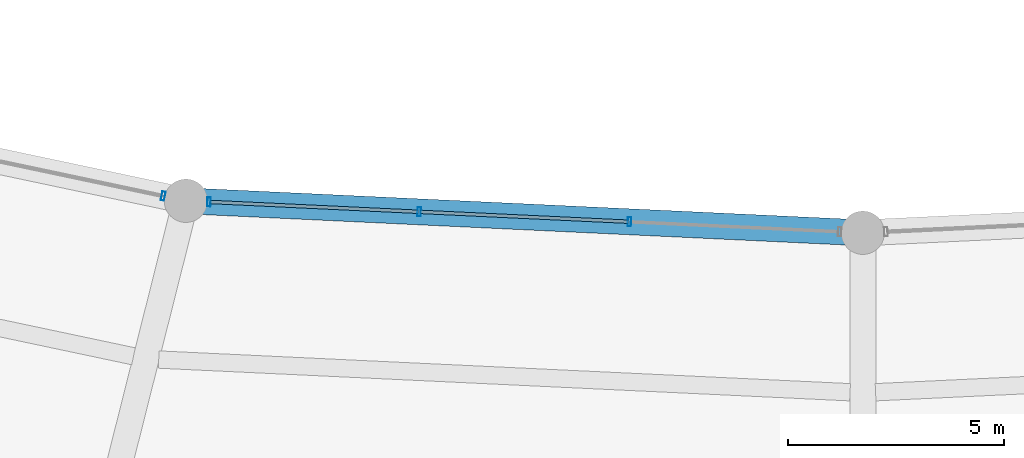
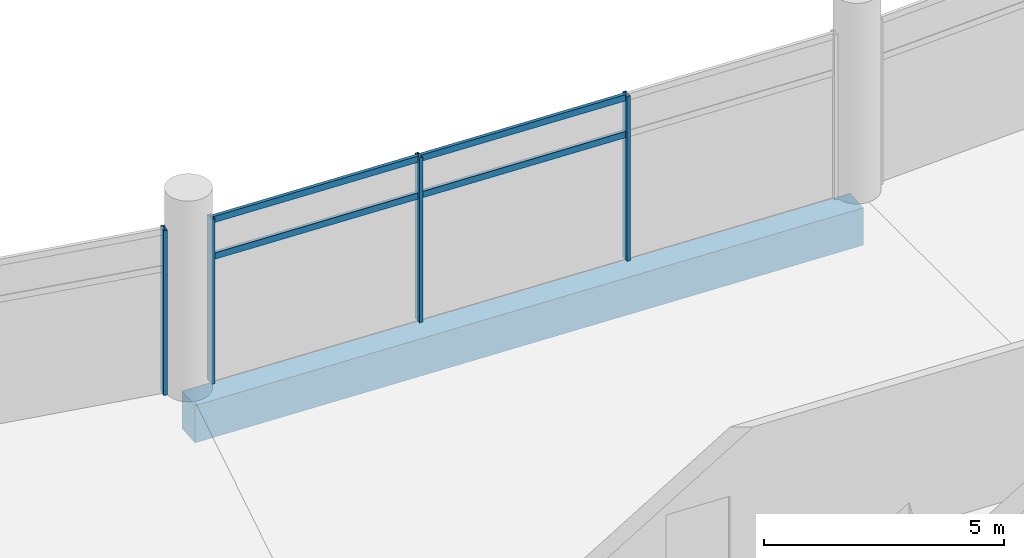
# One storey, part 26 of 184: 8 members, 1 beam, 2 elements without a shape of their own.
"""IFC4 building model written with IfcOpenShell, lengths in metres."""

from ifc_helpers import new_model, si_unit, direction, frame, origin, origin_2d, place, context, subcontext, project, spatial, rectangle, hollow_rectangle, extrude, material, layer, layer_set, material_profile, profile_set, type_object, element, aggregate, save


model = new_model("IFC4")

# Units and contexts
model_context = context("Model", 3, precision=1e-05, world=origin(), true_north=direction((0.0, 1.0)))
body_context = subcontext(model_context, "Body", "Model", "MODEL_VIEW")
ifc_project = project(units=[si_unit("LENGTHUNIT", "METRE"), si_unit("AREAUNIT", "SQUARE_METRE"), si_unit("VOLUMEUNIT", "CUBIC_METRE"), si_unit("PLANEANGLEUNIT", "RADIAN"), si_unit("MASSUNIT", "GRAM", prefix="KILO")], contexts=[model_context])

# Site, building, storey
site_placement = place(None, origin())
site = spatial("IfcSite", under=ifc_project, at=site_placement, CompositionType="ELEMENT")
building_placement = place(site_placement, origin())
building = spatial("IfcBuilding", under=site, at=building_placement, Name="Kazemori Nagisa Stadium", CompositionType="ELEMENT")
storey_placement = place(building_placement, frame((0.0, 0.0, 10.5400390625)))
storey = spatial("IfcBuildingStorey", under=building, at=storey_placement, Name="L02", CompositionType="ELEMENT", Elevation=10.5400390625)

# Beam
ifc_material_1 = material(Name="Concrete C40/50 (Fc42)", Category="concrete")
ifc_material_profile_1 = material_profile(ifc_material_1, rectangle(XDim=0.60009765625, YDim=0.949951171875, at=origin_2d()), Name="RC-BM-600x950")
ifc_profile_set_1 = profile_set([ifc_material_profile_1], Name="Concrete C40/50 (Fc42)")
beam_type = type_object("IfcBeamType", Name="Beam_BG-RC600X950", PredefinedType="BEAM", material=ifc_profile_set_1)
beam_placement = place(storey_placement, frame((107.35791015625, 39.959716796875, -0.735107421875), z_axis=(0.998883604512, -0.047239227746, 0.0), x_axis=(0.047239227746, 0.998883604512, 0.0)))
element("IfcBeam", 1, at=beam_placement, inside=storey, type_object=beam_type, Name="Ring girder BG-RC600X950 L02 R1-21", PredefinedType="BEAM", context=body_context, shape_type="SweptSolid", body=[
    extrude(rectangle(XDim=0.60009765625, YDim=0.949951171875, at=origin_2d()), origin(), (0.0, 0.0, 1.0), 15.65966796875),
])

# Curtain wall, member
ifc_material_2 = material(Name="Anodised aluminium 6063-T5", Category="aluminium")
ifc_layer_1 = layer(ifc_material_2, 0.2099609375, Name="Anodised aluminium 6063-T5", Category="aluminium")
ifc_layer_set_1 = layer_set([ifc_layer_1], Name="Anodised aluminium 6063-T5")
curtain_wall_type_1 = type_object("IfcCurtainWallType", Name="CW_L02B_75", PredefinedType="USERDEFINED", material=ifc_layer_set_1)
curtain_wall_1_placement = place(storey_placement, origin())
curtain_wall_1 = element("IfcCurtainWall", 2, at=curtain_wall_1_placement, inside=storey, type_object=curtain_wall_type_1, Name="Unitised curtain wall CW-L02B-75 L02", ObjectType="UNITISED CURTAIN WALL", PredefinedType="USERDEFINED")
ifc_material_3 = material(Name="Aluminium 6063-T5 anodised", Category="aluminium")
ifc_material_profile_2 = material_profile(ifc_material_3, hollow_rectangle(XDim=0.080078125, YDim=0.2099609375, WallThickness=0.0048828125, at=origin_2d()), Name="ALU-MULL-80x210x5")
ifc_profile_set_2 = profile_set([ifc_material_profile_2], Name="Aluminium 6063-T5 anodised")
member_type_1 = type_object("IfcMemberType", Name="Mullion_M02", PredefinedType="MULLION", material=ifc_profile_set_2)
member_1_placement = place(storey_placement, frame((106.83447265625, 40.0703125, 0.0), z_axis=(0.0, 0.0, 1.0), x_axis=(0.978344955407, -0.206981033502, 0.0)))
member_1 = element("IfcMember", 3, at=member_1_placement, type_object=member_type_1, Name="Curtain wall mullion CW-L02B-75-M4", PredefinedType="MULLION", context=body_context, shape_type="SweptSolid", body=[
    extrude(hollow_rectangle(XDim=0.080078125, YDim=0.2099609375, WallThickness=0.0048828125, at=origin_2d()), origin(), (0.0, 0.0, 1.0), 4.18994140625),
])
aggregate(curtain_wall_1, [member_1])

# Curtain wall, members
ifc_layer_2 = layer(ifc_material_2, 0.2099609375, Name="Anodised aluminium 6063-T5", Category="aluminium")
ifc_layer_set_2 = layer_set([ifc_layer_2], Name="Anodised aluminium 6063-T5")
curtain_wall_type_2 = type_object("IfcCurtainWallType", Name="CW_L02B_73", PredefinedType="USERDEFINED", material=ifc_layer_set_2)
curtain_wall_2_placement = place(storey_placement, origin())
curtain_wall_2 = element("IfcCurtainWall", 4, at=curtain_wall_2_placement, inside=storey, type_object=curtain_wall_type_2, Name="Unitised curtain wall CW-L02B-73 L02", ObjectType="UNITISED CURTAIN WALL", PredefinedType="USERDEFINED")
member_2_placement = place(storey_placement, frame((107.89208984375, 39.934326171875, 0.0), z_axis=(0.0, 0.0, 1.0), x_axis=(0.998884022476, -0.047230388971, 0.0)))
member_2 = element("IfcMember", 5, at=member_2_placement, type_object=member_type_1, Name="Curtain wall mullion CW-L02B-73-M1", PredefinedType="MULLION", context=body_context, shape_type="SweptSolid", body=[
    extrude(hollow_rectangle(XDim=0.080078125, YDim=0.2099609375, WallThickness=0.0048828125, at=origin_2d()), origin(), (0.0, 0.0, 1.0), 4.18994140625),
])
member_3_placement = place(storey_placement, frame((112.75, 39.70458984375, 0.0), z_axis=(0.0, 0.0, 1.0), x_axis=(0.998884022476, -0.047230388971, 0.0)))
member_3 = element("IfcMember", 6, at=member_3_placement, type_object=member_type_1, Name="Curtain wall mullion CW-L02B-73-M2", PredefinedType="MULLION", context=body_context, shape_type="SweptSolid", body=[
    extrude(hollow_rectangle(XDim=0.080078125, YDim=0.2099609375, WallThickness=0.0048828125, at=origin_2d()), origin(), (0.0, 0.0, 1.0), 4.18994140625),
])
member_4_placement = place(storey_placement, frame((117.60791015625, 39.474853515625, 0.0), z_axis=(0.0, 0.0, 1.0), x_axis=(0.998884022476, -0.047230388971, 0.0)))
member_4 = element("IfcMember", 7, at=member_4_placement, type_object=member_type_1, Name="Curtain wall mullion CW-L02B-73-M3", PredefinedType="MULLION", context=body_context, shape_type="SweptSolid", body=[
    extrude(hollow_rectangle(XDim=0.080078125, YDim=0.2099609375, WallThickness=0.0048828125, at=origin_2d()), origin(), (0.0, 0.0, 1.0), 4.18994140625),
])
ifc_material_profile_3 = material_profile(ifc_material_3, hollow_rectangle(XDim=0.080078125, YDim=0.159912109375, WallThickness=0.00390625, at=origin_2d()), Name="ALU-TRAN-80x160x4")
ifc_profile_set_3 = profile_set([ifc_material_profile_3], Name="Aluminium 6063-T5 anodised")
member_type_2 = type_object("IfcMemberType", Name="Transom_T02", PredefinedType="USERDEFINED", material=ifc_profile_set_3)
member_5_placement = place(storey_placement, frame((107.912109375, 39.933349609375, 3.184326171875), z_axis=(0.998884227355, -0.047226055748, 0.0), x_axis=(0.047226055748, 0.998884227355, 0.0)))
member_5 = element("IfcMember", 8, at=member_5_placement, type_object=member_type_2, Name="Curtain wall transom CW-L02B-73-T1-mid", ObjectType="TRANSOM", PredefinedType="USERDEFINED", context=body_context, shape_type="SweptSolid", body=[
    extrude(hollow_rectangle(XDim=0.080078125, YDim=0.159912109375, WallThickness=0.00390625, at=origin_2d()), origin(), (0.0, 0.0, 1.0), 4.8232421875),
])
member_6_placement = place(storey_placement, frame((107.912109375, 39.933349609375, 4.119873046875), z_axis=(0.998884227355, -0.047226055748, 0.0), x_axis=(0.047226055748, 0.998884227355, 0.0)))
member_6 = element("IfcMember", 9, at=member_6_placement, type_object=member_type_2, Name="Curtain wall transom CW-L02B-73-T1-head", ObjectType="TRANSOM", PredefinedType="USERDEFINED", context=body_context, shape_type="SweptSolid", body=[
    extrude(hollow_rectangle(XDim=0.080078125, YDim=0.159912109375, WallThickness=0.00390625, at=origin_2d()), origin(), (0.0, 0.0, 1.0), 4.8232421875),
])
member_7_placement = place(storey_placement, frame((112.77001953125, 39.70361328125, 3.184326171875), z_axis=(0.998884227355, -0.047226055748, 0.0), x_axis=(0.047226055748, 0.998884227355, 0.0)))
member_7 = element("IfcMember", 10, at=member_7_placement, type_object=member_type_2, Name="Curtain wall transom CW-L02B-73-T2-mid", ObjectType="TRANSOM", PredefinedType="USERDEFINED", context=body_context, shape_type="SweptSolid", body=[
    extrude(hollow_rectangle(XDim=0.080078125, YDim=0.159912109375, WallThickness=0.00390625, at=origin_2d()), origin(), (0.0, 0.0, 1.0), 4.8232421875),
])
member_8_placement = place(storey_placement, frame((112.77001953125, 39.70361328125, 4.119873046875), z_axis=(0.998884227355, -0.047226055748, 0.0), x_axis=(0.047226055748, 0.998884227355, 0.0)))
member_8 = element("IfcMember", 11, at=member_8_placement, type_object=member_type_2, Name="Curtain wall transom CW-L02B-73-T2-head", ObjectType="TRANSOM", PredefinedType="USERDEFINED", context=body_context, shape_type="SweptSolid", body=[
    extrude(hollow_rectangle(XDim=0.080078125, YDim=0.159912109375, WallThickness=0.00390625, at=origin_2d()), origin(), (0.0, 0.0, 1.0), 4.8232421875),
])
aggregate(curtain_wall_2, [member_2, member_3, member_4, member_5, member_6, member_7, member_8])

save(model, "model.ifc")
